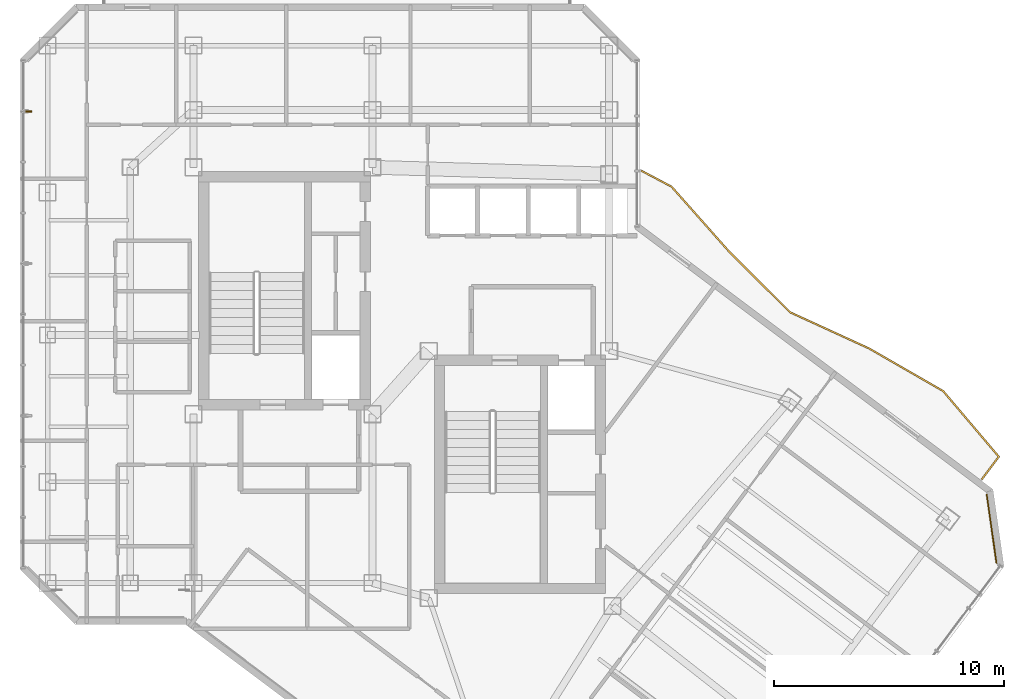
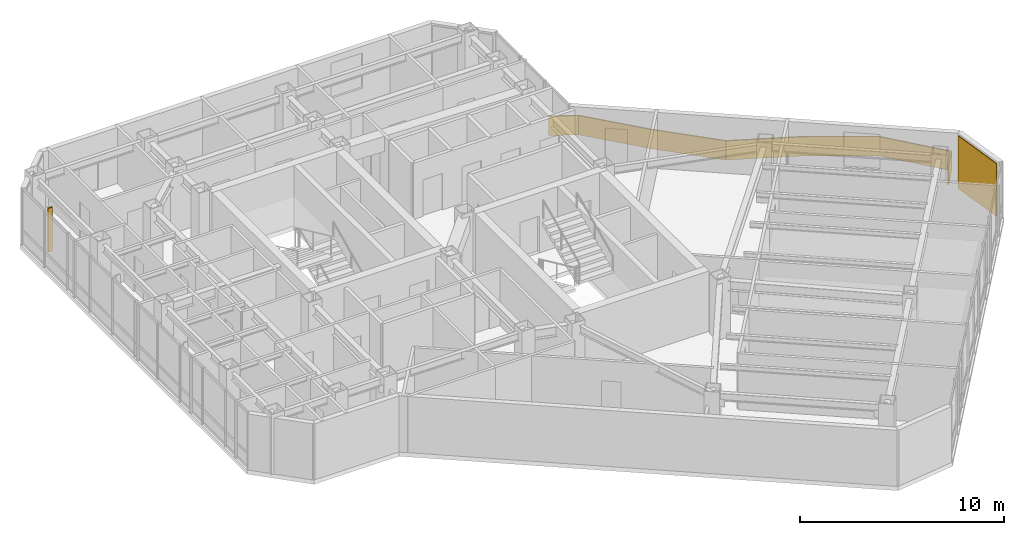
# One storey, part 25 of 26: 1 covering, 1 railing, 1 shading device.
"""IFC4 building model written with IfcOpenShell, lengths in metres."""

from ifc_helpers import new_model, si_unit, direction, frame, origin, origin_2d, place, context, subcontext, project, spatial, polyline, rectangle, outline, extrude, material, layer, layer_set, type_object, element, save


model = new_model("IFC4")

# Units and contexts
model_context = context("Model", 3, precision=1e-05, world=origin(), true_north=direction((0.0, 1.0)))
body_context = subcontext(model_context, "Body", "Model", "MODEL_VIEW")
ifc_project = project(units=[si_unit("LENGTHUNIT", "METRE"), si_unit("AREAUNIT", "SQUARE_METRE"), si_unit("VOLUMEUNIT", "CUBIC_METRE"), si_unit("PLANEANGLEUNIT", "RADIAN"), si_unit("MASSUNIT", "GRAM", prefix="KILO")], contexts=[model_context])

# Site, building, storey
site_placement = place(None, origin())
site = spatial("IfcSite", under=ifc_project, at=site_placement, CompositionType="ELEMENT")
building_placement = place(site_placement, origin())
building = spatial("IfcBuilding", under=site, at=building_placement, Name="Hatsunagi Terrace Concourse", CompositionType="ELEMENT")
storey_placement = place(building_placement, frame((0.0, 0.0, 209.550048828125)))
storey = spatial("IfcBuildingStorey", under=building, at=storey_placement, Name="L55", CompositionType="ELEMENT", Elevation=209.550048828125)

# Railing
ifc_material_1 = material(Name="Laminated Glass and Stainless Steel Guard", Category="steel")
ifc_layer_1 = layer(ifc_material_1, 0.070068359375)
ifc_layer_set_1 = layer_set([ifc_layer_1], Name="BalconyGlassGuardRail_1150")
railing_type = type_object("IfcRailingType", Name="BalconyGlassGuardRail_1150", PredefinedType="BALUSTRADE", material=ifc_layer_set_1)
railing_placement = place(storey_placement, origin())
element("IfcRailing", 1, at=railing_placement, inside=storey, type_object=railing_type, Name="Engawa Balcony Guard GRD-01 L55-BSE-1", PredefinedType="BALUSTRADE", context=body_context, shape_type="SweptSolid", body=[
    extrude(outline(polyline([(45.062255859375, 43.18408203125), (45.02978515625, 43.1220703125), (46.343994140625, 42.427978515625), (48.840576171875, 39.612060546875), (51.499755859375, 36.960693359375), (54.951904296875, 35.3798828125), (58.167236328125, 33.52978515625), (60.568115234375, 30.69873046875), (59.842041015625, 29.73095703125), (59.89794921875, 29.68896484375), (60.65771484375, 30.701416015625), (58.212646484375, 33.584228515625), (54.98388671875, 35.442138671875), (51.540283203125, 37.019287109375), (48.8916015625, 39.659912109375), (46.387939453125, 42.48388671875), (45.062255859375, 43.18408203125)])), origin(), (0.0, 0.0, 1.0), 1.14990234375),
])

# Shading device
ifc_material_2 = material(Name="Extruded Unglazed Terracotta Baguette", Category="masonry")
shading_device_type = type_object("IfcShadingDeviceType", Name="TerracottaFinScreen_260x70", PredefinedType="USERDEFINED", material=ifc_material_2)
shading_device_placement = place(storey_placement, frame((18.389892578125, 45.73388671875, 0.849853515625), z_axis=(0.0, 0.0, 1.0), x_axis=(0.0, 1.0, 0.0)))
element("IfcShadingDevice", 2, at=shading_device_placement, inside=storey, type_object=shading_device_type, Name="Terracotta Baguette Fin Screen SCR-01", ObjectType="SUNSHADE", PredefinedType="USERDEFINED", context=body_context, shape_type="SweptSolid", body=[
    extrude(rectangle(XDim=0.070068359375, YDim=0.260009765625, at=origin_2d()), origin(), (0.0, 0.0, 1.0), 2.60009765625),
])

# Covering
ifc_material_3 = material(Name="Unglazed Warm Terracotta Rainscreen Tile", Category="masonry")
ifc_layer_2 = layer(ifc_material_3, 0.044921875)
ifc_layer_set_2 = layer_set([ifc_layer_2], Name="TerracottaRainscreenCladding_45")
covering_type = type_object("IfcCoveringType", Name="TerracottaRainscreenCladding_45", PredefinedType="CLADDING", material=ifc_layer_set_2)
covering_placement = place(storey_placement, frame((60.301025390625, 27.55810546875, 0.10009765625), z_axis=(0.0, 0.0, 1.0), x_axis=(0.141250262458, -0.989973920543, 0.0)))
element("IfcCovering", 3, at=covering_placement, inside=storey, type_object=covering_type, Name="Terracotta Rainscreen Cladding L55-02", PredefinedType="CLADDING", context=body_context, shape_type="SweptSolid", body=[
    extrude(rectangle(XDim=3.0380859375, YDim=0.044921875, at=origin_2d()), origin(), (0.0, 0.0, 1.0), 3.14990234375),
])

save(model, "model.ifc")
